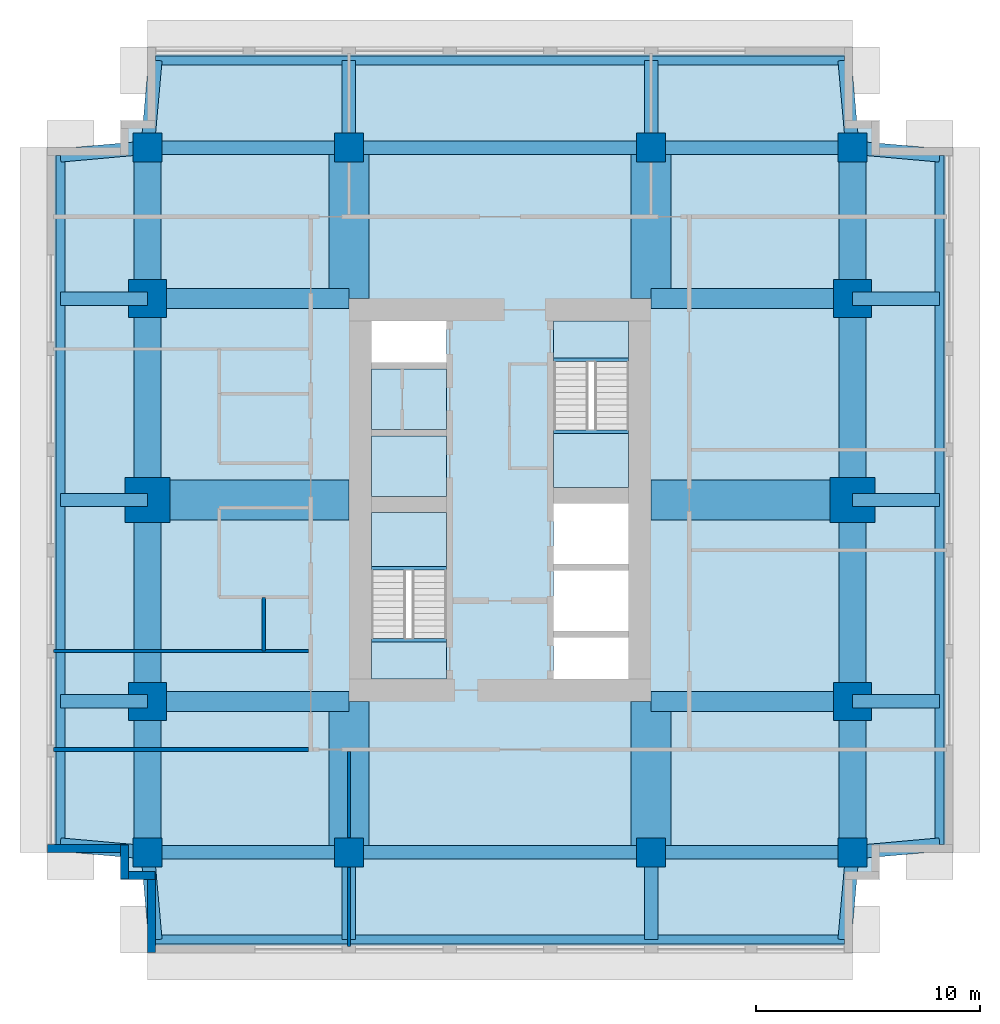
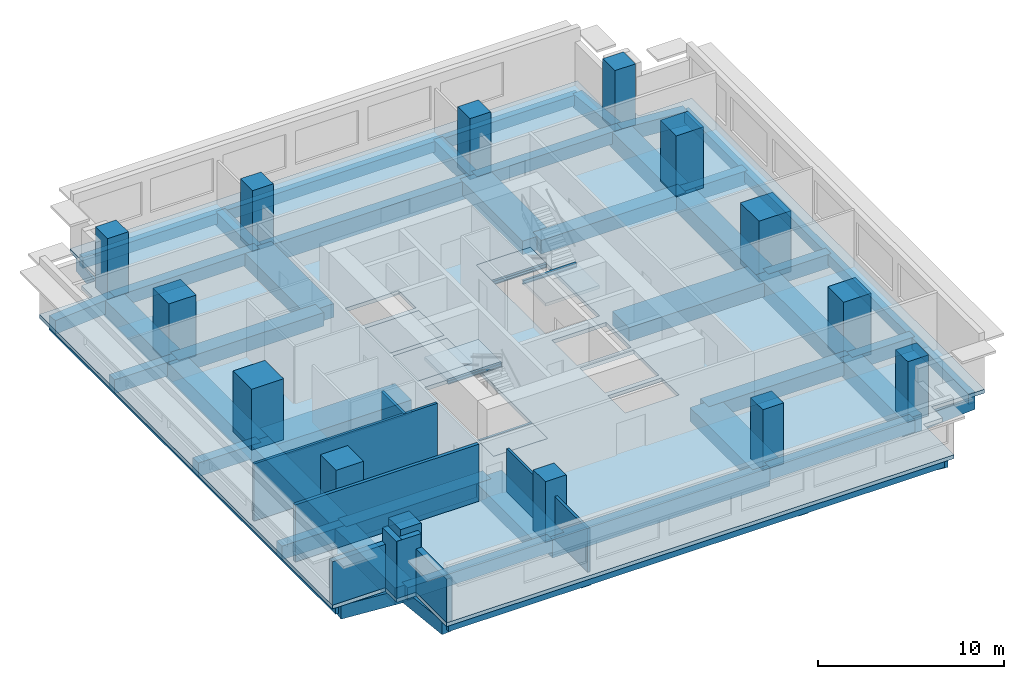
# One storey, part 1 of 5: 50 beams, 14 columns, 9 walls, 7 slabs, 2 elements without a shape of their own.
"""IFC4 building model written with IfcOpenShell, lengths in metres."""

from ifc_helpers import new_model, si_unit, direction, frame, frame_2d, origin, origin_2d, place, context, subcontext, project, spatial, polyline, rectangle, i_section, outline, extrude, material, layer, layer_set, material_profile, profile_set, type_object, element, aggregate, save


model = new_model("IFC4")

# Units and contexts
model_context = context("Model", 3, precision=1e-05, world=origin(), true_north=direction((0.0, 1.0)))
body_context = subcontext(model_context, "Body", "Model", "MODEL_VIEW")
ifc_project = project(units=[si_unit("LENGTHUNIT", "METRE"), si_unit("AREAUNIT", "SQUARE_METRE"), si_unit("VOLUMEUNIT", "CUBIC_METRE"), si_unit("PLANEANGLEUNIT", "RADIAN"), si_unit("MASSUNIT", "GRAM", prefix="KILO")], contexts=[model_context])

# Site, building, storey
site_placement = place(None, origin())
site = spatial("IfcSite", under=ifc_project, at=site_placement, CompositionType="ELEMENT")
building_placement = place(site_placement, origin())
building = spatial("IfcBuilding", under=site, at=building_placement, Name="Namib Vertical Campus", CompositionType="ELEMENT")
storey_placement = place(building_placement, frame((0.0, 0.0, 281.0)))
storey = spatial("IfcBuildingStorey", under=building, at=storey_placement, Name="L66", CompositionType="ELEMENT", Elevation=281.0)

# Columns
ifc_material_1 = material(Name="Concrete C60/75", Category="concrete")
ifc_material_profile_1 = material_profile(ifc_material_1, rectangle(XDim=1.300048828125, YDim=1.300048828125, at=origin_2d()))
ifc_profile_set_1 = profile_set([ifc_material_profile_1], Name="Concrete C60/75")
column_type_1 = type_object("IfcColumnType", Name="Column RC 1300x1300", PredefinedType="COLUMN", material=ifc_profile_set_1)
for number, where, z_axis, x_axis, name in (
    (1, (4.5, 4.5, 0.0), (0.0, 0.0, 1.0), (1.0, 0.0, 0.0), "Column C130 L66"),
    (2, (13.5, 4.5, 0.0), (0.0, 0.0, 1.0), (1.0, 0.0, 0.0), "Column C130 L66"),
    (3, (27.0, 4.5, 0.0), (0.0, 0.0, 1.0), (1.0, 0.0, 0.0), "Column C130 L66"),
    (4, (36.0, 4.5, 0.0), (0.0, 0.0, 1.0), (1.0, 0.0, 0.0), "Column C130 L66"),
    (5, (4.5, 36.0, 0.0), (0.0, 0.0, 1.0), (1.0, 0.0, 0.0), "Column C130 L66"),
    (6, (13.5, 36.0, 0.0), (0.0, 0.0, 1.0), (1.0, 0.0, 0.0), "Column C130 L66"),
    (7, (27.0, 36.0, 0.0), (0.0, 0.0, 1.0), (1.0, 0.0, 0.0), "Column C130 L66"),
    (8, (36.0, 36.0, 0.0), (0.0, 0.0, 1.0), (1.0, 0.0, 0.0), "Column C130 L66"),
):
    element("IfcColumn", number, at=place(storey_placement, frame(where, z_axis=z_axis, x_axis=x_axis)), inside=storey, type_object=column_type_1, Name=name, PredefinedType="COLUMN", context=body_context, shape_type="SweptSolid", body=[
        extrude(rectangle(XDim=1.300048828125, YDim=1.300048828125, at=origin_2d()), origin(), (0.0, 0.0, 1.0), 4.0),
    ])
ifc_material_2 = material(Name="Concrete C60/75", Category="concrete")
ifc_material_profile_2 = material_profile(ifc_material_2, rectangle(XDim=1.699951171875, YDim=1.699951171875, at=origin_2d()))
ifc_profile_set_2 = profile_set([ifc_material_profile_2], Name="Concrete C60/75")
column_type_2 = type_object("IfcColumnType", Name="Column RC 1700x1700", PredefinedType="COLUMN", material=ifc_profile_set_2)
for number, where, z_axis, x_axis, name in (
    (9, (4.5, 11.25, 0.0), (0.0, 0.0, 1.0), (1.0, 0.0, 0.0), "Column C170 L66"),
    (10, (36.0, 11.25, 0.0), (0.0, 0.0, 1.0), (1.0, 0.0, 0.0), "Column C170 L66"),
    (11, (4.5, 29.25, 0.0), (0.0, 0.0, 1.0), (1.0, 0.0, 0.0), "Column C170 L66"),
    (12, (36.0, 29.25, 0.0), (0.0, 0.0, 1.0), (1.0, 0.0, 0.0), "Column C170 L66"),
):
    element("IfcColumn", number, at=place(storey_placement, frame(where, z_axis=z_axis, x_axis=x_axis)), inside=storey, type_object=column_type_2, Name=name, PredefinedType="COLUMN", context=body_context, shape_type="SweptSolid", body=[
        extrude(rectangle(XDim=1.699951171875, YDim=1.699951171875, at=origin_2d()), origin(), (0.0, 0.0, 1.0), 4.0),
    ])
ifc_material_3 = material(Name="Concrete C60/75", Category="concrete")
ifc_material_profile_3 = material_profile(ifc_material_3, rectangle(XDim=2.0, YDim=2.0, at=origin_2d()))
ifc_profile_set_3 = profile_set([ifc_material_profile_3], Name="Concrete C60/75")
column_type_3 = type_object("IfcColumnType", Name="Column RC 2000x2000", PredefinedType="COLUMN", material=ifc_profile_set_3)
for number, where, z_axis, x_axis, name in (
    (13, (4.5, 20.25, 0.0), (0.0, 0.0, 1.0), (1.0, 0.0, 0.0), "Column C200 L66"),
    (14, (36.0, 20.25, 0.0), (0.0, 0.0, 1.0), (1.0, 0.0, 0.0), "Column C200 L66"),
):
    element("IfcColumn", number, at=place(storey_placement, frame(where, z_axis=z_axis, x_axis=x_axis)), inside=storey, type_object=column_type_3, Name=name, PredefinedType="COLUMN", context=body_context, shape_type="SweptSolid", body=[
        extrude(rectangle(XDim=2.0, YDim=2.0, at=origin_2d()), origin(), (0.0, 0.0, 1.0), 4.0),
    ])

# Beams
ifc_material_4 = material(Name="Concrete C40/50", Category="concrete")
ifc_material_profile_4 = material_profile(ifc_material_4, rectangle(XDim=0.60009765625, YDim=0.89990234375, at=origin_2d()))
ifc_profile_set_4 = profile_set([ifc_material_profile_4], Name="Concrete C40/50")
beam_type_1 = type_object("IfcBeamType", Name="Cantilever girder RC 600x900", PredefinedType="BEAM", material=ifc_profile_set_4)
beam_1_placement = place(storey_placement, frame((4.5, 4.5, -0.699951171875), z_axis=(0.089411326146, -0.995994786511, 0.0), x_axis=(0.995994786511, 0.089411326146, 0.0)))
element("IfcBeam", 15, at=beam_1_placement, inside=storey, type_object=beam_type_1, Name="Beam B3 L66", PredefinedType="BEAM", context=body_context, shape_type="SweptSolid", body=[
    extrude(rectangle(XDim=0.60009765625, YDim=0.89990234375, at=origin_2d()), origin(), (0.0, 0.0, 1.0), 3.91552734375),
])
for number, where, z_axis, x_axis, name in (
    (16, (13.5, 4.5, -0.699951171875), (0.0, -1.0, 0.0), (1.0, 0.0, 0.0), "Beam B3 L66"),
    (17, (27.0, 4.5, -0.699951171875), (0.0, -1.0, 0.0), (1.0, 0.0, 0.0), "Beam B3 L66"),
):
    element("IfcBeam", number, at=place(storey_placement, frame(where, z_axis=z_axis, x_axis=x_axis)), inside=storey, type_object=beam_type_1, Name=name, PredefinedType="BEAM", context=body_context, shape_type="SweptSolid", body=[
        extrude(rectangle(XDim=0.60009765625, YDim=0.89990234375, at=origin_2d()), origin(), (0.0, 0.0, 1.0), 3.89990234375),
    ])
for number, where, z_axis, x_axis, name in (
    (18, (36.0, 4.5, -0.699951171875), (-0.089411326146, -0.995994786511, 0.0), (0.995994786511, -0.089411326146, 0.0), "Beam B3 L66"),
    (19, (4.5, 36.0, -0.699951171875), (0.089411326146, 0.995994786511, 0.0), (-0.995994786511, 0.089411326146, 0.0), "Beam B3 L66"),
):
    element("IfcBeam", number, at=place(storey_placement, frame(where, z_axis=z_axis, x_axis=x_axis)), inside=storey, type_object=beam_type_1, Name=name, PredefinedType="BEAM", context=body_context, shape_type="SweptSolid", body=[
        extrude(rectangle(XDim=0.60009765625, YDim=0.89990234375, at=origin_2d()), origin(), (0.0, 0.0, 1.0), 3.91552734375),
    ])
for number, where, z_axis, x_axis, name in (
    (20, (13.5, 36.0, -0.699951171875), (0.0, 1.0, 0.0), (-1.0, 0.0, 0.0), "Beam B3 L66"),
    (21, (27.0, 36.0, -0.699951171875), (0.0, 1.0, 0.0), (-1.0, 0.0, 0.0), "Beam B3 L66"),
):
    element("IfcBeam", number, at=place(storey_placement, frame(where, z_axis=z_axis, x_axis=x_axis)), inside=storey, type_object=beam_type_1, Name=name, PredefinedType="BEAM", context=body_context, shape_type="SweptSolid", body=[
        extrude(rectangle(XDim=0.60009765625, YDim=0.89990234375, at=origin_2d()), origin(), (0.0, 0.0, 1.0), 3.89990234375),
    ])
for number, where, z_axis, x_axis, name in (
    (22, (36.0, 36.0, -0.699951171875), (-0.089411326146, 0.995994786511, 0.0), (-0.995994786511, -0.089411326146, 0.0), "Beam B3 L66"),
    (23, (4.5, 4.5, -0.699951171875), (-0.995994786511, 0.089411326146, 0.0), (-0.089411326146, -0.995994786511, 0.0), "Beam B3 L66"),
):
    element("IfcBeam", number, at=place(storey_placement, frame(where, z_axis=z_axis, x_axis=x_axis)), inside=storey, type_object=beam_type_1, Name=name, PredefinedType="BEAM", context=body_context, shape_type="SweptSolid", body=[
        extrude(rectangle(XDim=0.60009765625, YDim=0.89990234375, at=origin_2d()), origin(), (0.0, 0.0, 1.0), 3.91552734375),
    ])
for number, where, z_axis, x_axis, name in (
    (24, (4.5, 11.25, -0.699951171875), (-1.0, 0.0, 0.0), (0.0, -1.0, 0.0), "Beam B3 L66"),
    (25, (4.5, 20.25, -0.699951171875), (-1.0, 0.0, 0.0), (0.0, -1.0, 0.0), "Beam B3 L66"),
    (26, (4.5, 29.25, -0.699951171875), (-1.0, 0.0, 0.0), (0.0, -1.0, 0.0), "Beam B3 L66"),
):
    element("IfcBeam", number, at=place(storey_placement, frame(where, z_axis=z_axis, x_axis=x_axis)), inside=storey, type_object=beam_type_1, Name=name, PredefinedType="BEAM", context=body_context, shape_type="SweptSolid", body=[
        extrude(rectangle(XDim=0.60009765625, YDim=0.89990234375, at=origin_2d()), origin(), (0.0, 0.0, 1.0), 3.89990234375),
    ])
for number, where, z_axis, x_axis, name in (
    (27, (4.5, 36.0, -0.699951171875), (-0.995994786511, -0.089411326146, 0.0), (0.089411326146, -0.995994786511, 0.0), "Beam B3 L66"),
    (28, (36.0, 4.5, -0.699951171875), (0.995994786511, 0.089411326146, 0.0), (-0.089411326146, 0.995994786511, 0.0), "Beam B3 L66"),
):
    element("IfcBeam", number, at=place(storey_placement, frame(where, z_axis=z_axis, x_axis=x_axis)), inside=storey, type_object=beam_type_1, Name=name, PredefinedType="BEAM", context=body_context, shape_type="SweptSolid", body=[
        extrude(rectangle(XDim=0.60009765625, YDim=0.89990234375, at=origin_2d()), origin(), (0.0, 0.0, 1.0), 3.91552734375),
    ])
for number, where, z_axis, x_axis, name in (
    (29, (36.0, 11.25, -0.699951171875), (1.0, 0.0, 0.0), (0.0, 1.0, 0.0), "Beam B3 L66"),
    (30, (36.0, 20.25, -0.699951171875), (1.0, 0.0, 0.0), (0.0, 1.0, 0.0), "Beam B3 L66"),
    (31, (36.0, 29.25, -0.699951171875), (1.0, 0.0, 0.0), (0.0, 1.0, 0.0), "Beam B3 L66"),
):
    element("IfcBeam", number, at=place(storey_placement, frame(where, z_axis=z_axis, x_axis=x_axis)), inside=storey, type_object=beam_type_1, Name=name, PredefinedType="BEAM", context=body_context, shape_type="SweptSolid", body=[
        extrude(rectangle(XDim=0.60009765625, YDim=0.89990234375, at=origin_2d()), origin(), (0.0, 0.0, 1.0), 3.89990234375),
    ])
beam_2_placement = place(storey_placement, frame((36.0, 36.0, -0.699951171875), z_axis=(0.995994786511, -0.089411326146, 0.0), x_axis=(0.089411326146, 0.995994786511, 0.0)))
element("IfcBeam", 32, at=beam_2_placement, inside=storey, type_object=beam_type_1, Name="Beam B3 L66", PredefinedType="BEAM", context=body_context, shape_type="SweptSolid", body=[
    extrude(rectangle(XDim=0.60009765625, YDim=0.89990234375, at=origin_2d()), origin(), (0.0, 0.0, 1.0), 3.91552734375),
])
ifc_material_5 = material(Name="Concrete C40/50", Category="concrete")
ifc_material_profile_5 = material_profile(ifc_material_5, rectangle(XDim=0.39990234375, YDim=0.699951171875, at=origin_2d()))
ifc_profile_set_5 = profile_set([ifc_material_profile_5], Name="Concrete C40/50")
beam_type_2 = type_object("IfcBeamType", Name="Edge beam RC 400x700", PredefinedType="SPANDREL", material=ifc_profile_set_5)
for number, where, z_axis, x_axis, name in (
    (33, (4.85009765625, 0.60009765625, -0.60009765625), (1.0, 0.0, 0.0), (0.0, 1.0, 0.0), "Beam B4 L66"),
    (34, (4.85009765625, 39.89990234375, -0.60009765625), (1.0, 0.0, 0.0), (0.0, 1.0, 0.0), "Beam B4 L66"),
    (35, (0.60009765625, 4.85009765625, -0.60009765625), (0.0, 1.0, 0.0), (-1.0, 0.0, 0.0), "Beam B4 L66"),
    (36, (39.89990234375, 4.85009765625, -0.60009765625), (0.0, 1.0, 0.0), (-1.0, 0.0, 0.0), "Beam B4 L66"),
):
    element("IfcBeam", number, at=place(storey_placement, frame(where, z_axis=z_axis, x_axis=x_axis)), inside=storey, type_object=beam_type_2, Name=name, PredefinedType="SPANDREL", context=body_context, shape_type="SweptSolid", body=[
        extrude(rectangle(XDim=0.39990234375, YDim=0.699951171875, at=origin_2d()), origin(), (0.0, 0.0, 1.0), 30.7998046875),
    ])
ifc_material_6 = material(Name="Concrete C40/50", Category="concrete")
ifc_material_profile_6 = material_profile(ifc_material_6, rectangle(XDim=0.89990234375, YDim=0.89990234375, at=origin_2d()))
ifc_profile_set_6 = profile_set([ifc_material_profile_6], Name="Concrete C40/50")
beam_type_3 = type_object("IfcBeamType", Name="Face girder RC 900x900", PredefinedType="BEAM", material=ifc_profile_set_6)
for number, where, z_axis, x_axis, name in (
    (37, (4.5, 11.25, -0.699951171875), (1.0, 0.0, 0.0), (0.0, 1.0, 0.0), "Beam B10 L66"),
    (38, (36.0, 11.25, -0.699951171875), (-1.0, 0.0, 0.0), (0.0, -1.0, 0.0), "Beam B10 L66"),
    (39, (4.5, 29.25, -0.699951171875), (1.0, 0.0, 0.0), (0.0, 1.0, 0.0), "Beam B10 L66"),
    (40, (36.0, 29.25, -0.699951171875), (-1.0, 0.0, 0.0), (0.0, -1.0, 0.0), "Beam B10 L66"),
):
    element("IfcBeam", number, at=place(storey_placement, frame(where, z_axis=z_axis, x_axis=x_axis)), inside=storey, type_object=beam_type_3, Name=name, PredefinedType="BEAM", context=body_context, shape_type="SweptSolid", body=[
        extrude(rectangle(XDim=0.89990234375, YDim=0.89990234375, at=origin_2d()), origin(), (0.0, 0.0, 1.0), 9.0),
    ])
ifc_material_7 = material(Name="Concrete C40/50", Category="concrete")
ifc_material_profile_7 = material_profile(ifc_material_7, rectangle(XDim=1.199951171875, YDim=1.10009765625, at=origin_2d()))
ifc_profile_set_7 = profile_set([ifc_material_profile_7], Name="Concrete C40/50")
beam_type_4 = type_object("IfcBeamType", Name="Face ring beam RC 1200x1100", PredefinedType="BEAM", material=ifc_profile_set_7)
beam_3_placement = place(storey_placement, frame((4.5, 4.5, -0.800048828125), z_axis=(0.0, 1.0, 0.0), x_axis=(-1.0, 0.0, 0.0)))
element("IfcBeam", 41, at=beam_3_placement, inside=storey, type_object=beam_type_4, Name="Beam B11 L66", PredefinedType="BEAM", context=body_context, shape_type="SweptSolid", body=[
    extrude(rectangle(XDim=1.199951171875, YDim=1.10009765625, at=origin_2d()), origin(), (0.0, 0.0, 1.0), 6.75),
])
for number, where, z_axis, x_axis, name in (
    (42, (4.5, 11.25, -0.800048828125), (0.0, 1.0, 0.0), (-1.0, 0.0, 0.0), "Beam B11 L66"),
    (43, (4.5, 20.25, -0.800048828125), (0.0, 1.0, 0.0), (-1.0, 0.0, 0.0), "Beam B11 L66"),
):
    element("IfcBeam", number, at=place(storey_placement, frame(where, z_axis=z_axis, x_axis=x_axis)), inside=storey, type_object=beam_type_4, Name=name, PredefinedType="BEAM", context=body_context, shape_type="SweptSolid", body=[
        extrude(rectangle(XDim=1.199951171875, YDim=1.10009765625, at=origin_2d()), origin(), (0.0, 0.0, 1.0), 9.0),
    ])
for number, where, z_axis, x_axis, name in (
    (44, (4.5, 29.25, -0.800048828125), (0.0, 1.0, 0.0), (-1.0, 0.0, 0.0), "Beam B11 L66"),
    (45, (36.0, 4.5, -0.800048828125), (0.0, 1.0, 0.0), (-1.0, 0.0, 0.0), "Beam B11 L66"),
):
    element("IfcBeam", number, at=place(storey_placement, frame(where, z_axis=z_axis, x_axis=x_axis)), inside=storey, type_object=beam_type_4, Name=name, PredefinedType="BEAM", context=body_context, shape_type="SweptSolid", body=[
        extrude(rectangle(XDim=1.199951171875, YDim=1.10009765625, at=origin_2d()), origin(), (0.0, 0.0, 1.0), 6.75),
    ])
for number, where, z_axis, x_axis, name in (
    (46, (36.0, 11.25, -0.800048828125), (0.0, 1.0, 0.0), (-1.0, 0.0, 0.0), "Beam B11 L66"),
    (47, (36.0, 20.25, -0.800048828125), (0.0, 1.0, 0.0), (-1.0, 0.0, 0.0), "Beam B11 L66"),
):
    element("IfcBeam", number, at=place(storey_placement, frame(where, z_axis=z_axis, x_axis=x_axis)), inside=storey, type_object=beam_type_4, Name=name, PredefinedType="BEAM", context=body_context, shape_type="SweptSolid", body=[
        extrude(rectangle(XDim=1.199951171875, YDim=1.10009765625, at=origin_2d()), origin(), (0.0, 0.0, 1.0), 9.0),
    ])
beam_4_placement = place(storey_placement, frame((36.0, 29.25, -0.800048828125), z_axis=(0.0, 1.0, 0.0), x_axis=(-1.0, 0.0, 0.0)))
element("IfcBeam", 48, at=beam_4_placement, inside=storey, type_object=beam_type_4, Name="Beam B11 L66", PredefinedType="BEAM", context=body_context, shape_type="SweptSolid", body=[
    extrude(rectangle(XDim=1.199951171875, YDim=1.10009765625, at=origin_2d()), origin(), (0.0, 0.0, 1.0), 6.75),
])
ifc_material_8 = material(Name="Steel S355JR", Category="steel")
ifc_material_profile_8 = material_profile(ifc_material_8, i_section(OverallWidth=0.14599609375, OverallDepth=0.25146484375, WebThickness=0.006103515625, FlangeThickness=0.008544921875, FilletRadius=0.007568359375, at=origin_2d()))
ifc_profile_set_8 = profile_set([ifc_material_profile_8], Name="Steel S355JR")
beam_type_5 = type_object("IfcBeamType", Name="Landing trimmer UB 254x146x31", PredefinedType="BEAM", material=ifc_profile_set_8)
for number, where, z_axis, x_axis, name in (
    (49, (14.5, 13.97705078125, -0.125732421875), (1.0, 0.0, 0.0), (0.0, 1.0, 0.0), "Landing trimmer LT1 A-S1 L66 1"),
    (50, (14.5, 17.203125, 1.874267578125), (1.0, 0.0, 0.0), (0.0, 1.0, 0.0), "Landing trimmer LT1 A-S1 L66 2"),
    (51, (22.64990234375, 26.52294921875, -0.125732421875), (1.0, 0.0, 0.0), (0.0, 1.0, 0.0), "Landing trimmer LT1 A-S2 L66 1"),
    (52, (22.64990234375, 23.296875, 1.874267578125), (1.0, 0.0, 0.0), (0.0, 1.0, 0.0), "Landing trimmer LT1 A-S2 L66 2"),
):
    element("IfcBeam", number, at=place(storey_placement, frame(where, z_axis=z_axis, x_axis=x_axis)), inside=storey, type_object=beam_type_5, Name=name, PredefinedType="BEAM", context=body_context, shape_type="SweptSolid", body=[
        extrude(i_section(OverallWidth=0.14599609375, OverallDepth=0.25146484375, WebThickness=0.006103515625, FlangeThickness=0.008544921875, FilletRadius=0.007568359375, at=origin_2d()), origin(), (0.0, 0.0, 1.0), 3.35009765625),
    ])
ifc_material_9 = material(Name="Concrete C40/50", Category="concrete")
ifc_material_profile_9 = material_profile(ifc_material_9, rectangle(XDim=0.60009765625, YDim=1.199951171875, at=origin_2d()))
ifc_profile_set_9 = profile_set([ifc_material_profile_9], Name="Concrete C40/50")
beam_type_6 = type_object("IfcBeamType", Name="Long-span ring beam RC 600x1200", PredefinedType="BEAM", material=ifc_profile_set_9)
for number, where, z_axis, x_axis, name in (
    (53, (13.5, 4.5, -0.85009765625), (1.0, 0.0, 0.0), (0.0, 1.0, 0.0), "Beam B9 L66"),
    (54, (13.5, 36.0, -0.85009765625), (1.0, 0.0, 0.0), (0.0, 1.0, 0.0), "Beam B9 L66"),
):
    element("IfcBeam", number, at=place(storey_placement, frame(where, z_axis=z_axis, x_axis=x_axis)), inside=storey, type_object=beam_type_6, Name=name, PredefinedType="BEAM", context=body_context, shape_type="SweptSolid", body=[
        extrude(rectangle(XDim=0.60009765625, YDim=1.199951171875, at=origin_2d()), origin(), (0.0, 0.0, 1.0), 13.5),
    ])
ifc_material_10 = material(Name="Concrete C40/50", Category="concrete")
ifc_material_profile_10 = material_profile(ifc_material_10, rectangle(XDim=1.800048828125, YDim=0.89990234375, at=origin_2d()))
ifc_profile_set_10 = profile_set([ifc_material_profile_10], Name="Concrete C40/50")
beam_type_7 = type_object("IfcBeamType", Name="Outrigger line girder RC 1800x900", PredefinedType="BEAM", material=ifc_profile_set_10)
for number, where, z_axis, x_axis, name in (
    (55, (13.5, 4.5, -0.699951171875), (0.0, 1.0, 0.0), (-1.0, 0.0, 0.0), "Beam B12 L66"),
    (56, (13.5, 36.0, -0.699951171875), (0.0, -1.0, 0.0), (1.0, 0.0, 0.0), "Beam B12 L66"),
    (57, (27.0, 4.5, -0.699951171875), (0.0, 1.0, 0.0), (-1.0, 0.0, 0.0), "Beam B12 L66"),
    (58, (27.0, 36.0, -0.699951171875), (0.0, -1.0, 0.0), (1.0, 0.0, 0.0), "Beam B12 L66"),
):
    element("IfcBeam", number, at=place(storey_placement, frame(where, z_axis=z_axis, x_axis=x_axis)), inside=storey, type_object=beam_type_7, Name=name, PredefinedType="BEAM", context=body_context, shape_type="SweptSolid", body=[
        extrude(rectangle(XDim=1.800048828125, YDim=0.89990234375, at=origin_2d()), origin(), (0.0, 0.0, 1.0), 6.75),
    ])
for number, where, z_axis, x_axis, name in (
    (59, (4.5, 20.25, -0.699951171875), (1.0, 0.0, 0.0), (0.0, 1.0, 0.0), "Beam B12 L66"),
    (60, (36.0, 20.25, -0.699951171875), (-1.0, 0.0, 0.0), (0.0, -1.0, 0.0), "Beam B12 L66"),
):
    element("IfcBeam", number, at=place(storey_placement, frame(where, z_axis=z_axis, x_axis=x_axis)), inside=storey, type_object=beam_type_7, Name=name, PredefinedType="BEAM", context=body_context, shape_type="SweptSolid", body=[
        extrude(rectangle(XDim=1.800048828125, YDim=0.89990234375, at=origin_2d()), origin(), (0.0, 0.0, 1.0), 9.0),
    ])
ifc_material_11 = material(Name="Concrete C40/50", Category="concrete")
ifc_material_profile_11 = material_profile(ifc_material_11, rectangle(XDim=0.60009765625, YDim=0.800048828125, at=origin_2d()))
ifc_profile_set_11 = profile_set([ifc_material_profile_11], Name="Concrete C40/50")
beam_type_8 = type_object("IfcBeamType", Name="Ring beam RC 600x800", PredefinedType="BEAM", material=ifc_profile_set_11)
for number, where, z_axis, x_axis, name in (
    (61, (4.5, 4.5, -0.64990234375), (1.0, 0.0, 0.0), (0.0, 1.0, 0.0), "Beam B1 L66"),
    (62, (27.0, 4.5, -0.64990234375), (1.0, 0.0, 0.0), (0.0, 1.0, 0.0), "Beam B1 L66"),
    (63, (4.5, 36.0, -0.64990234375), (1.0, 0.0, 0.0), (0.0, 1.0, 0.0), "Beam B1 L66"),
    (64, (27.0, 36.0, -0.64990234375), (1.0, 0.0, 0.0), (0.0, 1.0, 0.0), "Beam B1 L66"),
):
    element("IfcBeam", number, at=place(storey_placement, frame(where, z_axis=z_axis, x_axis=x_axis)), inside=storey, type_object=beam_type_8, Name=name, PredefinedType="BEAM", context=body_context, shape_type="SweptSolid", body=[
        extrude(rectangle(XDim=0.60009765625, YDim=0.800048828125, at=origin_2d()), origin(), (0.0, 0.0, 1.0), 9.0),
    ])

# Slabs
ifc_material_12 = material(Name="Concrete C40/50", Category="concrete")
ifc_layer_1 = layer(ifc_material_12, 0.25)
ifc_layer_set_1 = layer_set([ifc_layer_1], Name="Concrete C40/50")
slab_type_1 = type_object("IfcSlabType", Name="Floor slab 250", PredefinedType="FLOOR", material=ifc_layer_set_1)
slab_1_placement = place(storey_placement, frame((0.0, 0.0, -0.25)))
element("IfcSlab", 65, at=slab_1_placement, inside=storey, type_object=slab_type_1, Name="Floor slab A L66", PredefinedType="FLOOR", context=body_context, shape_type="SweptSolid", body=[
    extrude(outline(polyline([(4.5, 0.0), (36.0, 0.0), (36.0, 3.300048828125), (37.199951171875, 3.300048828125), (37.199951171875, 4.5), (40.5, 4.5), (40.5, 36.0), (37.199951171875, 36.0), (37.199951171875, 37.199951171875), (36.0, 37.199951171875), (36.0, 40.5), (4.5, 40.5), (4.5, 37.199951171875), (3.300048828125, 37.199951171875), (3.300048828125, 36.0), (0.0, 36.0), (0.0, 4.5), (3.300048828125, 4.5), (3.300048828125, 3.300048828125), (4.5, 3.300048828125), (4.5, 0.0)]), holes=[polyline([(14.5, 12.25), (17.85009765625, 12.25), (17.85009765625, 19.699951171875), (14.5, 19.699951171875), (14.5, 12.25)]), polyline([(22.64990234375, 20.800048828125), (26.0, 20.800048828125), (26.0, 28.25), (22.64990234375, 28.25), (22.64990234375, 20.800048828125)]), polyline([(22.64990234375, 12.25), (26.0, 12.25), (26.0, 14.10009765625), (22.64990234375, 14.10009765625), (22.64990234375, 12.25)]), polyline([(14.5, 20.39990234375), (17.85009765625, 20.39990234375), (17.85009765625, 23.10009765625), (14.5, 23.10009765625), (14.5, 20.39990234375)]), polyline([(14.5, 23.39990234375), (17.85009765625, 23.39990234375), (17.85009765625, 26.10009765625), (14.5, 26.10009765625), (14.5, 23.39990234375)]), polyline([(14.5, 26.39990234375), (17.85009765625, 26.39990234375), (17.85009765625, 28.25), (14.5, 28.25), (14.5, 26.39990234375)]), polyline([(22.64990234375, 14.39990234375), (26.0, 14.39990234375), (26.0, 17.10009765625), (22.64990234375, 17.10009765625), (22.64990234375, 14.39990234375)]), polyline([(22.64990234375, 17.39990234375), (26.0, 17.39990234375), (26.0, 20.10009765625), (22.64990234375, 20.10009765625), (22.64990234375, 17.39990234375)])]), origin(), (0.0, 0.0, 1.0), 0.25),
])
ifc_material_13 = material(Name="Concrete C40/50 precast", Category="concrete")
ifc_layer_2 = layer(ifc_material_13, 0.25)
ifc_layer_set_2 = layer_set([ifc_layer_2], Name="Concrete C40/50 precast")
slab_type_2 = type_object("IfcSlabType", Name="Shaft infill floor 250", PredefinedType="FLOOR", material=ifc_layer_set_2)
slab_2_placement = place(storey_placement, frame((0.0, 0.0, -0.25)))
element("IfcSlab", 66, at=slab_2_placement, inside=storey, type_object=slab_type_2, Name="Shaft infill floor A L66 P1", PredefinedType="FLOOR", context=body_context, shape_type="SweptSolid", body=[
    extrude(outline(polyline([(14.5, 20.39990234375), (17.85009765625, 20.39990234375), (17.85009765625, 23.10009765625), (14.5, 23.10009765625), (14.5, 20.39990234375)])), origin(), (0.0, 0.0, 1.0), 0.25),
])
slab_3_placement = place(storey_placement, frame((0.0, 0.0, -0.25)))
element("IfcSlab", 67, at=slab_3_placement, inside=storey, type_object=slab_type_2, Name="Shaft infill floor A L66 P2", PredefinedType="FLOOR", context=body_context, shape_type="SweptSolid", body=[
    extrude(outline(polyline([(14.5, 23.39990234375), (17.85009765625, 23.39990234375), (17.85009765625, 26.10009765625), (14.5, 26.10009765625), (14.5, 23.39990234375)])), origin(), (0.0, 0.0, 1.0), 0.25),
])

# Stair, slabs
ifc_material_14 = material(Name="Concrete C40/50 precast", Category="concrete")
stair_type = type_object("IfcStairType", Name="Exit stair 4000 rise 24 risers 3350 wide", PredefinedType="HALF_TURN_STAIR", material=ifc_material_14)
stair_1_placement = place(storey_placement, origin())
stair_1 = element("IfcStair", 68, at=stair_1_placement, inside=storey, type_object=stair_type, Name="Exit stair A-S1 L66", PredefinedType="HALF_TURN_STAIR")
ifc_material_15 = material(Name="Concrete C40/50", Category="concrete")
ifc_layer_3 = layer(ifc_material_15, 0.199951171875)
ifc_layer_set_3 = layer_set([ifc_layer_3], Name="Concrete C40/50")
slab_type_3 = type_object("IfcSlabType", Name="Stair landing 200", PredefinedType="LANDING", material=ifc_layer_set_3)
slab_4_placement = place(storey_placement, frame((0.0, 0.0, -0.199951171875)))
slab_4 = element("IfcSlab", 69, at=slab_4_placement, type_object=slab_type_3, Name="A-S1 landing 1", PredefinedType="LANDING", context=body_context, shape_type="SweptSolid", body=[
    extrude(outline(polyline([(14.5, 12.25), (17.85009765625, 12.25), (17.85009765625, 13.90380859375), (14.5, 13.90380859375), (14.5, 12.25)])), origin(), (0.0, 0.0, 1.0), 0.199951171875),
])
slab_5_placement = place(storey_placement, frame((0.0, 0.0, 1.800048828125)))
slab_5 = element("IfcSlab", 70, at=slab_5_placement, type_object=slab_type_3, Name="A-S1 landing 2", PredefinedType="LANDING", context=body_context, shape_type="SweptSolid", body=[
    extrude(outline(polyline([(14.5, 17.276123046875), (17.85009765625, 17.276123046875), (17.85009765625, 19.699951171875), (14.5, 19.699951171875), (14.5, 17.276123046875)])), origin(), (0.0, 0.0, 1.0), 0.199951171875),
])
aggregate(stair_1, [slab_4, slab_5])

stair_2_placement = place(storey_placement, origin())
stair_2 = element("IfcStair", 71, at=stair_2_placement, inside=storey, type_object=stair_type, Name="Exit stair A-S2 L66", PredefinedType="HALF_TURN_STAIR")
slab_6_placement = place(storey_placement, frame((0.0, 0.0, -0.199951171875)))
slab_6 = element("IfcSlab", 72, at=slab_6_placement, type_object=slab_type_3, Name="A-S2 landing 1", PredefinedType="LANDING", context=body_context, shape_type="SweptSolid", body=[
    extrude(outline(polyline([(22.64990234375, 26.59619140625), (26.0, 26.59619140625), (26.0, 28.25), (22.64990234375, 28.25), (22.64990234375, 26.59619140625)])), origin(), (0.0, 0.0, 1.0), 0.199951171875),
])
slab_7_placement = place(storey_placement, frame((0.0, 0.0, 1.800048828125)))
slab_7 = element("IfcSlab", 73, at=slab_7_placement, type_object=slab_type_3, Name="A-S2 landing 2", PredefinedType="LANDING", context=body_context, shape_type="SweptSolid", body=[
    extrude(outline(polyline([(22.64990234375, 20.800048828125), (26.0, 20.800048828125), (26.0, 23.223876953125), (22.64990234375, 23.223876953125), (22.64990234375, 20.800048828125)])), origin(), (0.0, 0.0, 1.0), 0.199951171875),
])
aggregate(stair_2, [slab_6, slab_7])

# Walls
ifc_material_16 = material(Name="Concrete masonry", Category="masonry")
ifc_layer_4 = layer(ifc_material_16, 0.199951171875)
ifc_layer_set_4 = layer_set([ifc_layer_4], Name="Corridor wall 200")
wall_type_1 = type_object("IfcWallType", Name="Corridor wall 200", PredefinedType="SOLIDWALL", material=ifc_layer_set_4)
wall_1_placement = place(storey_placement, frame((0.300048828125, 9.10009765625, 0.0), z_axis=(0.0, 0.0, 1.0), x_axis=(1.0, 0.0, 0.0)))
element("IfcWall", 74, at=wall_1_placement, inside=storey, type_object=wall_type_1, Name="Partition A L66 BSW", PredefinedType="SOLIDWALL", context=body_context, shape_type="SweptSolid", body=[
    extrude(rectangle(XDim=11.39990234375, YDim=0.199951171875, at=frame_2d((5.699951171875, 0.0))), origin(), (0.0, 0.0, 1.0), 3.75),
])
ifc_material_17 = material(Name="Concrete C40/50", Category="concrete")
ifc_layer_5 = layer(ifc_material_17, 0.35009765625)
ifc_layer_set_5 = layer_set([ifc_layer_5], Name="Concrete C40/50")
wall_type_2 = type_object("IfcWallType", Name="External wall 350 bush-hammered concrete", PredefinedType="STANDARD", material=ifc_layer_set_5)
wall_2_placement = place(storey_placement, frame((0.02001953125, 4.675048828125, 0.0), z_axis=(0.0, 0.0, 1.0), x_axis=(1.0, 0.0, 0.0)))
element("IfcWall", 75, at=wall_2_placement, inside=storey, type_object=wall_type_2, Name="External wall L66 F17", PredefinedType="STANDARD", context=body_context, shape_type="SweptSolid", body=[
    extrude(rectangle(XDim=3.60986328125, YDim=0.35009765625, at=frame_2d((1.804931640625, 0.0))), origin(), (0.0, 0.0, 1.0), 2.85009765625),
])
for number, where, z_axis, x_axis, name in (
    (76, (3.47509765625, 4.830078125, 0.0), (0.0, 0.0, 1.0), (0.0, -1.0, 0.0), "External wall L66 F18"),
    (77, (3.320068359375, 3.47509765625, 0.0), (0.0, 0.0, 1.0), (1.0, 0.0, 0.0), "External wall L66 F19"),
):
    element("IfcWall", number, at=place(storey_placement, frame(where, z_axis=z_axis, x_axis=x_axis)), inside=storey, type_object=wall_type_2, Name=name, PredefinedType="STANDARD", context=body_context, shape_type="SweptSolid", body=[
        extrude(rectangle(XDim=1.510009765625, YDim=0.35009765625, at=frame_2d((0.7548828125, 0.0))), origin(), (0.0, 0.0, 1.0), 3.75),
    ])
wall_3_placement = place(storey_placement, frame((4.675048828125, 3.6298828125, 0.0), z_axis=(0.0, 0.0, 1.0), x_axis=(0.0, -1.0, 0.0)))
element("IfcWall", 78, at=wall_3_placement, inside=storey, type_object=wall_type_2, Name="External wall L66 F20", PredefinedType="STANDARD", context=body_context, shape_type="SweptSolid", body=[
    extrude(rectangle(XDim=3.60986328125, YDim=0.35009765625, at=frame_2d((1.804931640625, 0.0))), origin(), (0.0, 0.0, 1.0), 2.85009765625),
])
ifc_material_18 = material(Name="Gypsum board on steel studs", Category="steel")
ifc_layer_6 = layer(ifc_material_18, 0.14990234375)
ifc_layer_set_6 = layer_set([ifc_layer_6], Name="Gypsum board on steel studs")
wall_type_3 = type_object("IfcWallType", Name="Partition 150", PredefinedType="PARTITIONING", material=ifc_layer_set_6)
wall_4_placement = place(storey_placement, frame((13.5, 0.300048828125, 0.0), z_axis=(0.0, 0.0, 1.0), x_axis=(0.0, 1.0, 0.0)))
element("IfcWall", 79, at=wall_4_placement, inside=storey, type_object=wall_type_3, Name="Partition A L66 PS1", PredefinedType="PARTITIONING", context=body_context, shape_type="SweptSolid", body=[
    extrude(rectangle(XDim=3.530029296875, YDim=0.14990234375, at=frame_2d((1.76513671875, 0.0))), origin(), (0.0, 0.0, 1.0), 2.85009765625),
])
wall_5_placement = place(storey_placement, frame((13.5, 5.169921875, 0.0), z_axis=(0.0, 0.0, 1.0), x_axis=(0.0, 1.0, 0.0)))
element("IfcWall", 80, at=wall_5_placement, inside=storey, type_object=wall_type_3, Name="Partition A L66 PS1", PredefinedType="PARTITIONING", context=body_context, shape_type="SweptSolid", body=[
    extrude(rectangle(XDim=3.830078125, YDim=0.14990234375, at=frame_2d((1.9150390625, 0.0))), origin(), (0.0, 0.0, 1.0), 2.85009765625),
])
wall_6_placement = place(storey_placement, frame((0.300048828125, 13.5, 0.0), z_axis=(0.0, 0.0, 1.0), x_axis=(1.0, 0.0, 0.0)))
element("IfcWall", 81, at=wall_6_placement, inside=storey, type_object=wall_type_3, Name="Partition A L66 PW1", PredefinedType="PARTITIONING", context=body_context, shape_type="SweptSolid", body=[
    extrude(rectangle(XDim=11.39990234375, YDim=0.14990234375, at=frame_2d((5.699951171875, 0.0))), origin(), (0.0, 0.0, 1.0), 3.75),
])
wall_7_placement = place(storey_placement, frame((9.699951171875, 13.5, 0.0), z_axis=(0.0, 0.0, 1.0), x_axis=(0.0, 1.0, 0.0)))
element("IfcWall", 82, at=wall_7_placement, inside=storey, type_object=wall_type_3, Name="Partition A L66 WB1", PredefinedType="PARTITIONING", context=body_context, shape_type="SweptSolid", body=[
    extrude(rectangle(XDim=2.39990234375, YDim=0.14990234375, at=frame_2d((1.199951171875, 0.0))), origin(), (0.0, 0.0, 1.0), 3.75),
])

save(model, "model.ifc")
